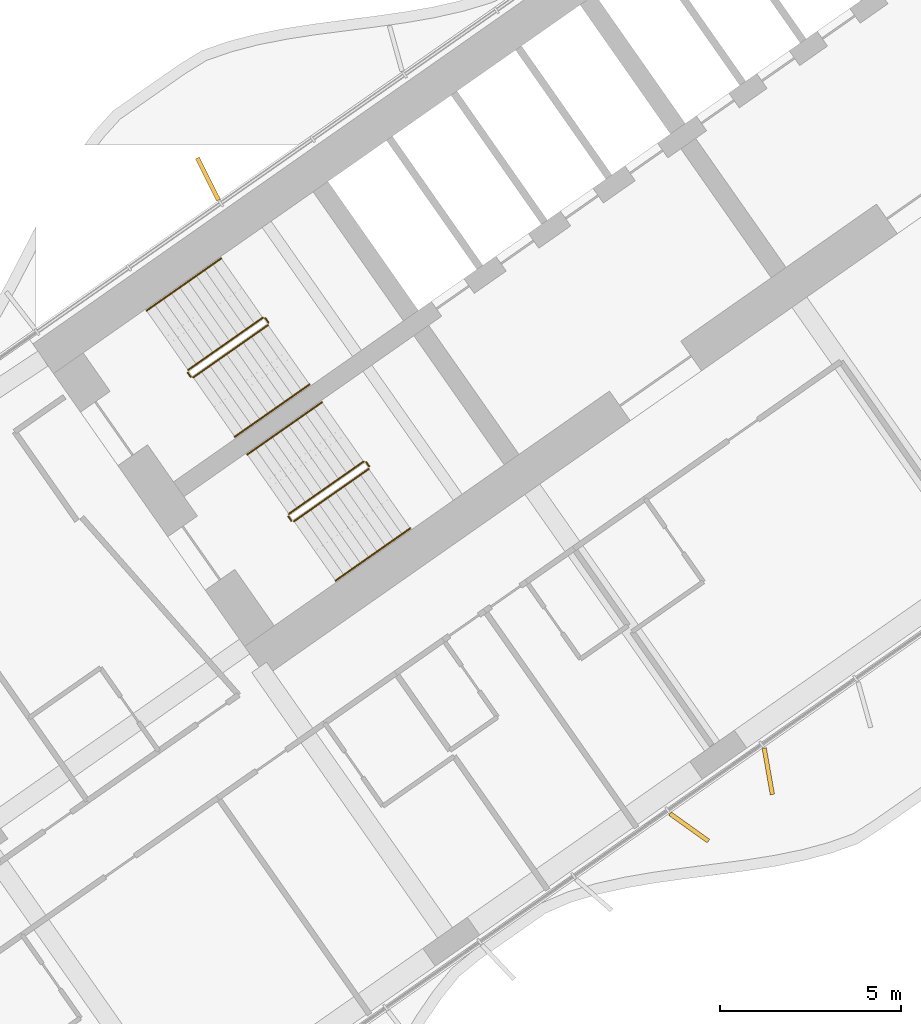
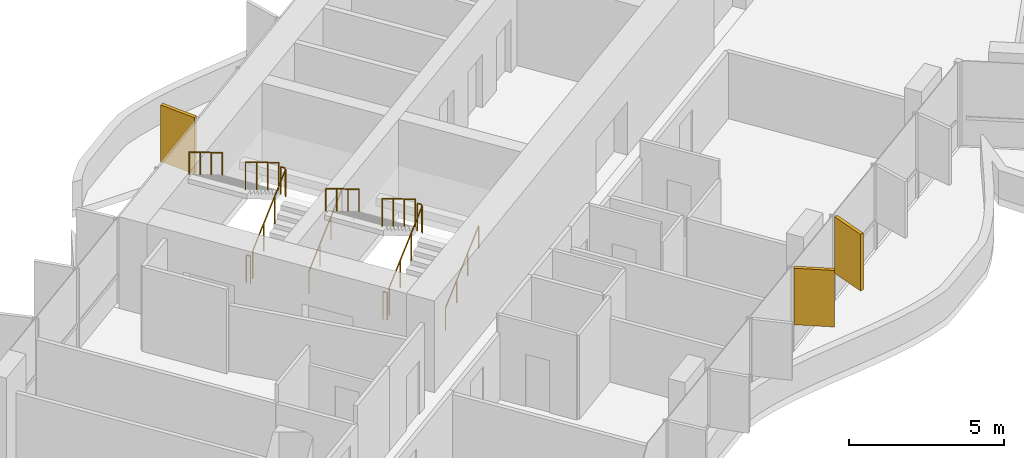
# One storey, part 19 of 23: 12 railings, 3 shading devices.
"""IFC4 building model written with IfcOpenShell, lengths in metres."""

from ifc_helpers import new_model, si_unit, direction, frame, origin, origin_2d, place, context, subcontext, project, spatial, rectangle, circle, extrude, material, layer, layer_set, type_object, element, save


model = new_model("IFC4")

# Units and contexts
model_context = context("Model", 3, precision=1e-05, world=origin(), true_north=direction((0.0, 1.0)))
body_context = subcontext(model_context, "Body", "Model", "MODEL_VIEW")
ifc_project = project(units=[si_unit("LENGTHUNIT", "METRE"), si_unit("AREAUNIT", "SQUARE_METRE"), si_unit("VOLUMEUNIT", "CUBIC_METRE"), si_unit("PLANEANGLEUNIT", "RADIAN"), si_unit("MASSUNIT", "GRAM", prefix="KILO")], contexts=[model_context])

# Site, building, storey
site_placement = place(None, origin())
site = spatial("IfcSite", under=ifc_project, at=site_placement, CompositionType="ELEMENT")
building_placement = place(site_placement, origin())
building = spatial("IfcBuilding", under=site, at=building_placement, Name="Tel Ilan Convention Tower", CompositionType="ELEMENT")
storey_placement = place(building_placement, frame((0.0, 0.0, 104.89990234375)))
storey = spatial("IfcBuildingStorey", under=building, at=storey_placement, Name="L22", CompositionType="ELEMENT", Elevation=104.89990234375)

# Shading devices
ifc_material_1 = material(Name="Aluminium, bronze anodised", Category="aluminium")
ifc_layer = layer(ifc_material_1, 0.1201171875)
ifc_layer_set = layer_set([ifc_layer], Name="FIN BRONZE 1300x120")
shading_device_type = type_object("IfcShadingDeviceType", Name="FIN BRONZE 1300x120", PredefinedType="USERDEFINED", material=ifc_layer_set)
for number, where, z_axis, x_axis, name in (
    (1, (-23.128662109375, -2.58154296875, 1.10009765625), (0.0, 0.0, 1.0), (-0.448799180206, 0.893632640321, 0.0), "FIN"),
    (2, (-9.84033203125, -20.48046875, 1.10009765625), (0.0, 0.0, 1.0), (0.813552070258, -0.581492071294, 0.0), "FIN"),
    (3, (-7.657958984375, -18.929931640625, 1.10009765625), (0.0, 0.0, 1.0), (0.173648177667, -0.984807753012, 0.0), "FIN"),
):
    element("IfcShadingDevice", number, at=place(storey_placement, frame(where, z_axis=z_axis, x_axis=x_axis)), inside=storey, type_object=shading_device_type, Name=name, ObjectType="FIN", PredefinedType="USERDEFINED", context=body_context, shape_type="SweptSolid", body=[
        extrude(rectangle(XDim=1.300048828125, YDim=0.1201171875, at=origin_2d()), origin(), (0.0, 0.0, 1.0), 2.219970703125),
    ])

# Railings
ifc_material_2 = material(Name="Stainless Steel Grade 316", Category="steel")
railing_type_1 = type_object("IfcRailingType", Name="Stainless Steel Stair Guard 1100 mm", PredefinedType="GUARDRAIL", material=ifc_material_2)
railing_1_placement = place(storey_placement, frame((-23.535400390625, -8.056396484375, 0.18017578125)))
element("IfcRailing", 4, at=railing_1_placement, inside=storey, type_object=railing_type_1, Name="L22 S1 stair guard 1", PredefinedType="GUARDRAIL", context=body_context, shape_type="SweptSolid", body=[
    extrude(circle(Radius=0.02392578125, at=origin_2d()), frame((0.0, 0.0, 1.076171875), z_axis=(0.689043377453, 0.48253410265, 0.540721798865), x_axis=(-0.573624882958, 0.819118119475, 0.0)), (0.0, 0.0, 1.0), 2.995849609375),
    extrude(circle(Radius=0.02099609375, at=origin_2d()), origin(), (0.0, 0.0, 1.0), 1.052001953125),
    extrude(circle(Radius=0.02099609375, at=origin_2d()), frame((0.68798828125, 0.48193359375, 0.5400390625)), (0.0, 0.0, 1.0), 1.052001953125),
    extrude(circle(Radius=0.02099609375, at=origin_2d()), frame((1.376220703125, 0.963623046875, 1.079833984375)), (0.0, 0.0, 1.0), 1.052001953125),
    extrude(circle(Radius=0.02099609375, at=origin_2d()), frame((2.064208984375, 1.445556640625, 1.619873046875)), (0.0, 0.0, 1.0), 1.052001953125),
])
railing_2_placement = place(storey_placement, frame((-21.458984375, -6.541259765625, 1.800048828125)))
element("IfcRailing", 5, at=railing_2_placement, inside=storey, type_object=railing_type_1, Name="L22 S1 stair guard 2", PredefinedType="GUARDRAIL", context=body_context, shape_type="SweptSolid", body=[
    extrude(circle(Radius=0.02392578125, at=origin_2d()), frame((0.0, 0.0, 1.076171875), z_axis=(-0.573353020881, 0.819308436089, 0.0), x_axis=(-0.819308436089, -0.573353020881, 0.0)), (0.0, 0.0, 1.0), 0.14990234375),
    extrude(circle(Radius=0.02099609375, at=origin_2d()), origin(), (0.0, 0.0, 1.0), 1.052001953125),
    extrude(circle(Radius=0.02099609375, at=origin_2d()), frame((-0.0859375, 0.122802734375, 0.0)), (0.0, 0.0, 1.0), 1.052001953125),
])
railing_3_placement = place(storey_placement, frame((-21.614501953125, -6.406005859375, 1.97998046875)))
element("IfcRailing", 6, at=railing_3_placement, inside=storey, type_object=railing_type_1, Name="L22 S1 stair guard 3", PredefinedType="GUARDRAIL", context=body_context, shape_type="SweptSolid", body=[
    extrude(circle(Radius=0.02392578125, at=origin_2d()), frame((0.0, 0.0, 1.076171875), z_axis=(-0.689013013563, -0.482512838948, 0.540779462804), x_axis=(0.573624882958, -0.819118119475, 0.0)), (0.0, 0.0, 1.0), 2.995849609375),
    extrude(circle(Radius=0.02099609375, at=origin_2d()), origin(), (0.0, 0.0, 1.0), 1.052001953125),
    extrude(circle(Radius=0.02099609375, at=origin_2d()), frame((-0.68798828125, -0.48193359375, 0.5400390625)), (0.0, 0.0, 1.0), 1.052001953125),
    extrude(circle(Radius=0.02099609375, at=origin_2d()), frame((-1.376220703125, -0.963623046875, 1.080078125)), (0.0, 0.0, 1.0), 1.052001953125),
    extrude(circle(Radius=0.02099609375, at=origin_2d()), frame((-2.064208984375, -1.445556640625, 1.6201171875)), (0.0, 0.0, 1.0), 1.052001953125),
])
railing_4_placement = place(storey_placement, frame((-23.60498046875, -8.0439453125, 0.0)))
element("IfcRailing", 7, at=railing_4_placement, inside=storey, type_object=railing_type_1, Name="L22 S1 stair guard 4", PredefinedType="GUARDRAIL", context=body_context, shape_type="SweptSolid", body=[
    extrude(circle(Radius=0.02392578125, at=origin_2d()), frame((0.0, 0.0, 1.076171875), z_axis=(-0.574444878118, 0.818543268254, 0.0), x_axis=(-0.818543268254, -0.574444878118, 0.0)), (0.0, 0.0, 1.0), 0.150146484375),
    extrude(circle(Radius=0.02099609375, at=origin_2d()), origin(), (0.0, 0.0, 1.0), 1.052001953125),
    extrude(circle(Radius=0.02099609375, at=origin_2d()), frame((-0.086181640625, 0.122802734375, 0.0)), (0.0, 0.0, 1.0), 1.052001953125),
])
railing_5_placement = place(storey_placement, frame((-20.753662109375, -12.029296875, 0.18017578125)))
element("IfcRailing", 8, at=railing_5_placement, inside=storey, type_object=railing_type_1, Name="L22 S2 stair guard 1", PredefinedType="GUARDRAIL", context=body_context, shape_type="SweptSolid", body=[
    extrude(circle(Radius=0.02392578125, at=origin_2d()), frame((0.0, 0.0, 1.076171875), z_axis=(0.689086176785, 0.482507007183, 0.540691436018), x_axis=(-0.573579365141, 0.81914999352, 0.0)), (0.0, 0.0, 1.0), 2.995849609375),
    extrude(circle(Radius=0.02099609375, at=origin_2d()), origin(), (0.0, 0.0, 1.0), 1.052001953125),
    extrude(circle(Radius=0.02099609375, at=origin_2d()), frame((0.688232421875, 0.48193359375, 0.5400390625)), (0.0, 0.0, 1.0), 1.052001953125),
    extrude(circle(Radius=0.02099609375, at=origin_2d()), frame((1.376220703125, 0.963623046875, 1.079833984375)), (0.0, 0.0, 1.0), 1.052001953125),
    extrude(circle(Radius=0.02099609375, at=origin_2d()), frame((2.064453125, 1.445556640625, 1.619873046875)), (0.0, 0.0, 1.0), 1.052001953125),
])
railing_6_placement = place(storey_placement, frame((-18.677001953125, -10.51416015625, 1.800048828125)))
element("IfcRailing", 9, at=railing_6_placement, inside=storey, type_object=railing_type_1, Name="L22 S2 stair guard 2", PredefinedType="GUARDRAIL", context=body_context, shape_type="SweptSolid", body=[
    extrude(circle(Radius=0.02392578125, at=origin_2d()), frame((0.0, 0.0, 1.076171875), z_axis=(-0.573353020881, 0.819308436089, 0.0), x_axis=(-0.819308436089, -0.573353020881, 0.0)), (0.0, 0.0, 1.0), 0.14990234375),
    extrude(circle(Radius=0.02099609375, at=origin_2d()), origin(), (0.0, 0.0, 1.0), 1.052001953125),
    extrude(circle(Radius=0.02099609375, at=origin_2d()), frame((-0.0859375, 0.122802734375, 0.0)), (0.0, 0.0, 1.0), 1.052001953125),
])
railing_7_placement = place(storey_placement, frame((-18.832763671875, -10.37890625, 1.97998046875)))
element("IfcRailing", 10, at=railing_7_placement, inside=storey, type_object=railing_type_1, Name="L22 S2 stair guard 3", PredefinedType="GUARDRAIL", context=body_context, shape_type="SweptSolid", body=[
    extrude(circle(Radius=0.02392578125, at=origin_2d()), frame((0.0, 0.0, 1.076171875), z_axis=(-0.689013013563, -0.482512838948, 0.540779462804), x_axis=(0.573624882958, -0.819118119475, 0.0)), (0.0, 0.0, 1.0), 2.995849609375),
    extrude(circle(Radius=0.02099609375, at=origin_2d()), origin(), (0.0, 0.0, 1.0), 1.052001953125),
    extrude(circle(Radius=0.02099609375, at=origin_2d()), frame((-0.68798828125, -0.48193359375, 0.5400390625)), (0.0, 0.0, 1.0), 1.052001953125),
    extrude(circle(Radius=0.02099609375, at=origin_2d()), frame((-1.376220703125, -0.963623046875, 1.080078125)), (0.0, 0.0, 1.0), 1.052001953125),
    extrude(circle(Radius=0.02099609375, at=origin_2d()), frame((-2.064208984375, -1.445556640625, 1.6201171875)), (0.0, 0.0, 1.0), 1.052001953125),
])
railing_8_placement = place(storey_placement, frame((-20.8232421875, -12.016845703125, 0.0)))
element("IfcRailing", 11, at=railing_8_placement, inside=storey, type_object=railing_type_1, Name="L22 S2 stair guard 4", PredefinedType="GUARDRAIL", context=body_context, shape_type="SweptSolid", body=[
    extrude(circle(Radius=0.02392578125, at=origin_2d()), frame((0.0, 0.0, 1.076171875), z_axis=(-0.573353020881, 0.819308436089, 0.0), x_axis=(-0.819308436089, -0.573353020881, 0.0)), (0.0, 0.0, 1.0), 0.14990234375),
    extrude(circle(Radius=0.02099609375, at=origin_2d()), origin(), (0.0, 0.0, 1.0), 1.052001953125),
    extrude(circle(Radius=0.02099609375, at=origin_2d()), frame((-0.0859375, 0.122802734375, 0.0)), (0.0, 0.0, 1.0), 1.052001953125),
])
ifc_material_3 = material(Name="Stainless Steel Grade 316", Category="steel")
railing_type_2 = type_object("IfcRailingType", Name="Stainless Steel Stair Handrail 900 mm", PredefinedType="HANDRAIL", material=ifc_material_3)
railing_9_placement = place(storey_placement, frame((-22.38818359375, -9.694580078125, 0.18017578125)))
element("IfcRailing", 12, at=railing_9_placement, inside=storey, type_object=railing_type_2, Name="L22 S1 stair handrail 1", PredefinedType="HANDRAIL", context=body_context, shape_type="SweptSolid", body=[
    extrude(circle(Radius=0.02392578125, at=origin_2d()), frame((0.0, 0.0, 0.8759765625), z_axis=(0.68907047291, 0.482471578903, 0.540743061828), x_axis=(-0.573559875649, 0.819163639968, 0.0)), (0.0, 0.0, 1.0), 2.99560546875),
    extrude(circle(Radius=0.02099609375, at=origin_2d()), origin(), (0.0, 0.0, 1.0), 0.851806640625),
    extrude(circle(Radius=0.02099609375, at=origin_2d()), frame((0.68798828125, 0.481689453125, 0.5400390625)), (0.0, 0.0, 1.0), 0.851806640625),
    extrude(circle(Radius=0.02099609375, at=origin_2d()), frame((1.376220703125, 0.963623046875, 1.079833984375)), (0.0, 0.0, 1.0), 0.851806640625),
    extrude(circle(Radius=0.02099609375, at=origin_2d()), frame((2.064208984375, 1.4453125, 1.619873046875)), (0.0, 0.0, 1.0), 0.851806640625),
])
railing_10_placement = place(storey_placement, frame((-22.76171875, -4.767822265625, 1.97998046875)))
element("IfcRailing", 13, at=railing_10_placement, inside=storey, type_object=railing_type_2, Name="L22 S1 stair handrail 2", PredefinedType="HANDRAIL", context=body_context, shape_type="SweptSolid", body=[
    extrude(circle(Radius=0.02392578125, at=origin_2d()), frame((0.0, 0.0, 0.8759765625), z_axis=(-0.689040105437, -0.482450316285, 0.54080072616), x_axis=(0.573559875649, -0.819163639968, 0.0)), (0.0, 0.0, 1.0), 2.995849609375),
    extrude(circle(Radius=0.02099609375, at=origin_2d()), origin(), (0.0, 0.0, 1.0), 0.851806640625),
    extrude(circle(Radius=0.02099609375, at=origin_2d()), frame((-0.68798828125, -0.481689453125, 0.5400390625)), (0.0, 0.0, 1.0), 0.851806640625),
    extrude(circle(Radius=0.02099609375, at=origin_2d()), frame((-1.376220703125, -0.963623046875, 1.080078125)), (0.0, 0.0, 1.0), 0.851806640625),
    extrude(circle(Radius=0.02099609375, at=origin_2d()), frame((-2.064208984375, -1.4453125, 1.6201171875)), (0.0, 0.0, 1.0), 0.851806640625),
])
railing_11_placement = place(storey_placement, frame((-19.6064453125, -13.66748046875, 0.18017578125)))
element("IfcRailing", 14, at=railing_11_placement, inside=storey, type_object=railing_type_2, Name="L22 S2 stair handrail 1", PredefinedType="HANDRAIL", context=body_context, shape_type="SweptSolid", body=[
    extrude(circle(Radius=0.02392578125, at=origin_2d()), frame((0.0, 0.0, 0.8759765625), z_axis=(0.68907047291, 0.482471578903, 0.540743061828), x_axis=(-0.573559875649, 0.819163639968, 0.0)), (0.0, 0.0, 1.0), 2.99560546875),
    extrude(circle(Radius=0.02099609375, at=origin_2d()), origin(), (0.0, 0.0, 1.0), 0.851806640625),
    extrude(circle(Radius=0.02099609375, at=origin_2d()), frame((0.68798828125, 0.481689453125, 0.5400390625)), (0.0, 0.0, 1.0), 0.851806640625),
    extrude(circle(Radius=0.02099609375, at=origin_2d()), frame((1.376220703125, 0.963623046875, 1.079833984375)), (0.0, 0.0, 1.0), 0.851806640625),
    extrude(circle(Radius=0.02099609375, at=origin_2d()), frame((2.064208984375, 1.4453125, 1.619873046875)), (0.0, 0.0, 1.0), 0.851806640625),
])
railing_12_placement = place(storey_placement, frame((-19.979736328125, -8.74072265625, 1.97998046875)))
element("IfcRailing", 15, at=railing_12_placement, inside=storey, type_object=railing_type_2, Name="L22 S2 stair handrail 2", PredefinedType="HANDRAIL", context=body_context, shape_type="SweptSolid", body=[
    extrude(circle(Radius=0.02392578125, at=origin_2d()), frame((0.0, 0.0, 0.8759765625), z_axis=(-0.689082904933, -0.482423225781, 0.540770359169), x_axis=(0.573514357932, -0.81919550856, 0.0)), (0.0, 0.0, 1.0), 2.995849609375),
    extrude(circle(Radius=0.02099609375, at=origin_2d()), origin(), (0.0, 0.0, 1.0), 0.851806640625),
    extrude(circle(Radius=0.02099609375, at=origin_2d()), frame((-0.688232421875, -0.481689453125, 0.5400390625)), (0.0, 0.0, 1.0), 0.851806640625),
    extrude(circle(Radius=0.02099609375, at=origin_2d()), frame((-1.376220703125, -0.963623046875, 1.080078125)), (0.0, 0.0, 1.0), 0.851806640625),
    extrude(circle(Radius=0.02099609375, at=origin_2d()), frame((-2.064453125, -1.4453125, 1.6201171875)), (0.0, 0.0, 1.0), 0.851806640625),
])

save(model, "model.ifc")
